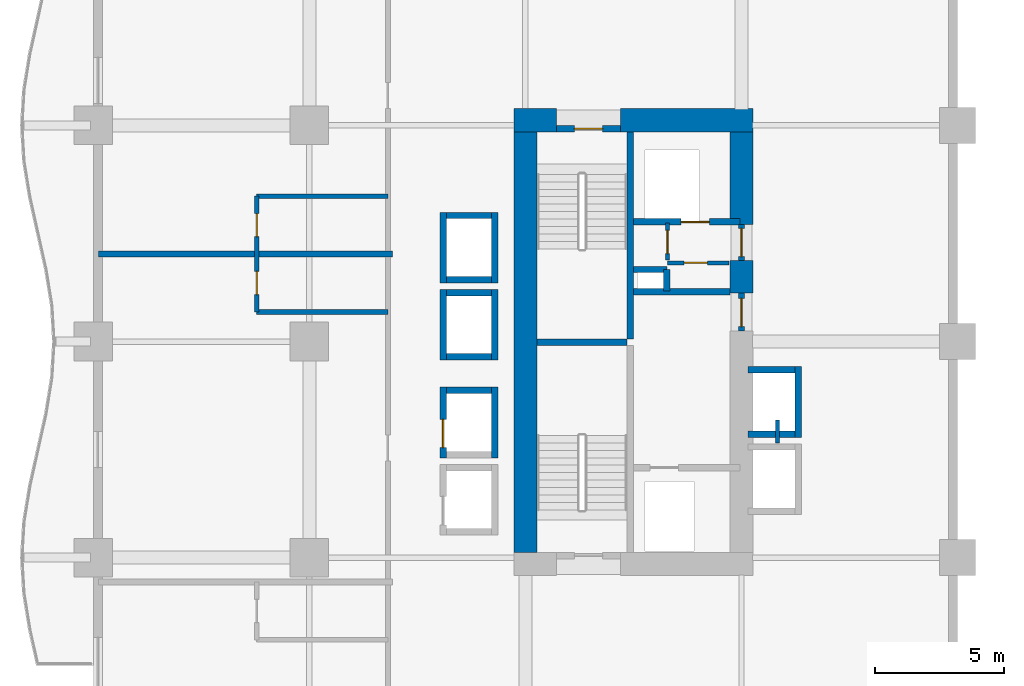
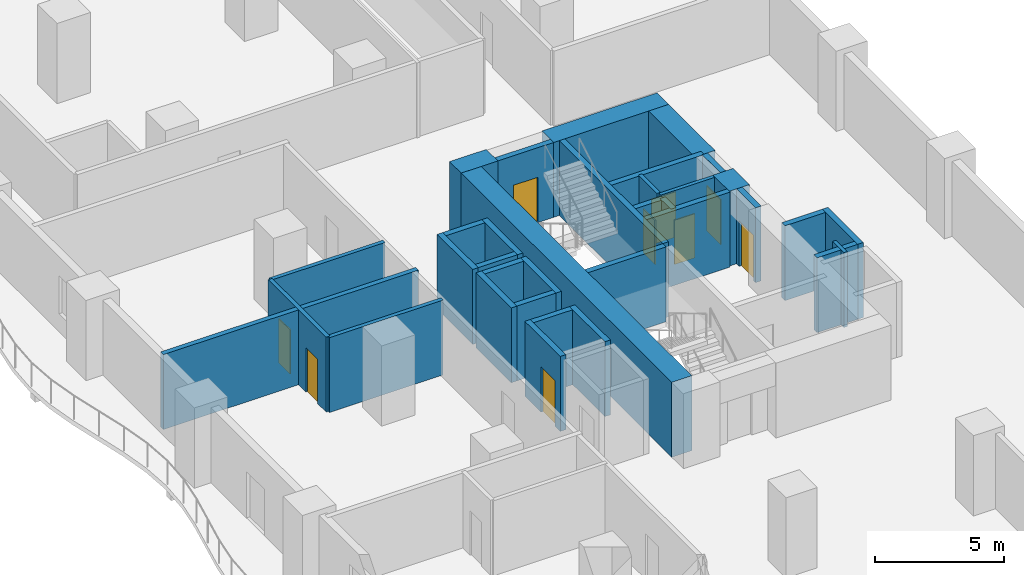
# One storey, part 16 of 27: 35 walls, 9 doors, 9 openings.
"""IFC4 building model written with IfcOpenShell, lengths in metres."""

from ifc_helpers import new_model, si_unit, direction, frame, frame_2d, origin, place, context, subcontext, project, spatial, rectangle, extrude, material, layer, layer_set, type_object, element, fill, save


model = new_model("IFC4")

# Units and contexts
model_context = context("Model", 3, precision=1e-05, world=origin(), true_north=direction((0.0, 1.0)))
body_context = subcontext(model_context, "Body", "Model", "MODEL_VIEW")
ifc_project = project(units=[si_unit("LENGTHUNIT", "METRE"), si_unit("AREAUNIT", "SQUARE_METRE"), si_unit("VOLUMEUNIT", "CUBIC_METRE"), si_unit("PLANEANGLEUNIT", "RADIAN"), si_unit("MASSUNIT", "GRAM", prefix="KILO")], contexts=[model_context])

# Site, building, storey
site_placement = place(None, origin())
site = spatial("IfcSite", under=ifc_project, at=site_placement, CompositionType="ELEMENT")
building_placement = place(site_placement, origin())
building = spatial("IfcBuilding", under=site, at=building_placement, Name="Koriwani Terraces Tower", CompositionType="ELEMENT")
storey_placement = place(building_placement, frame((0.0, 0.0, 70.0)))
storey = spatial("IfcBuildingStorey", under=building, at=storey_placement, Name="L16", CompositionType="ELEMENT", Elevation=70.0)

# Walls
ifc_material_1 = material(Name="Concrete C60/75", Category="concrete")
ifc_layer_1 = layer(ifc_material_1, 0.89990234375, Name="Concrete C60/75")
ifc_layer_set_1 = layer_set([ifc_layer_1], Name="Concrete C60/75")
wall_type_1 = type_object("IfcWallType", Name="WALL_CORE_RC_900", PredefinedType="SHEAR", material=ifc_layer_set_1)
wall_1_placement = place(storey_placement, frame((16.35009765625, 59.0, 0.0), z_axis=(0.0, 0.0, 1.0), x_axis=(1.0, 0.0, 0.0)))
element("IfcWall", 1, at=wall_1_placement, inside=storey, type_object=wall_type_1, Name="L16 West Split Core Shear Wall N1", PredefinedType="SHEAR", context=body_context, shape_type="SweptSolid", body=[
    extrude(rectangle(XDim=1.64990234375, YDim=0.89990234375, at=frame_2d((0.824951171875, 0.0))), origin(), (0.0, 0.0, 1.0), 3.550048828125),
])
wall_2_placement = place(storey_placement, frame((20.5, 59.0, 0.0), z_axis=(0.0, 0.0, 1.0), x_axis=(1.0, 0.0, 0.0)))
element("IfcWall", 2, at=wall_2_placement, inside=storey, type_object=wall_type_1, Name="L16 West Split Core Shear Wall N2", PredefinedType="SHEAR", context=body_context, shape_type="SweptSolid", body=[
    extrude(rectangle(XDim=5.14990234375, YDim=0.89990234375, at=frame_2d((2.574951171875, 0.0))), origin(), (0.0, 0.0, 1.0), 3.550048828125),
])
wall_3_placement = place(storey_placement, frame((16.800048828125, 42.199951171875, 0.0), z_axis=(0.0, 0.0, 1.0), x_axis=(0.0, 1.0, 0.0)))
element("IfcWall", 3, at=wall_3_placement, inside=storey, type_object=wall_type_1, Name="L16 West Split Core Shear Wall W1", PredefinedType="SHEAR", context=body_context, shape_type="SweptSolid", body=[
    extrude(rectangle(XDim=16.35009765625, YDim=0.89990234375, at=frame_2d((8.175048828125, 0.0))), origin(), (0.0, 0.0, 1.0), 3.550048828125),
])
wall_4_placement = place(storey_placement, frame((25.199951171875, 52.280029296875, 0.0), z_axis=(0.0, 0.0, 1.0), x_axis=(0.0, 1.0, 0.0)))
element("IfcWall", 4, at=wall_4_placement, inside=storey, type_object=wall_type_1, Name="L16 West Split Core Shear Wall E2", PredefinedType="SHEAR", context=body_context, shape_type="SweptSolid", body=[
    extrude(rectangle(XDim=1.27001953125, YDim=0.89990234375, at=frame_2d((0.635009765625, 0.0))), origin(), (0.0, 0.0, 1.0), 3.550048828125),
])
wall_5_placement = place(storey_placement, frame((25.199951171875, 54.949951171875, 0.0), z_axis=(0.0, 0.0, 1.0), x_axis=(0.0, 1.0, 0.0)))
element("IfcWall", 5, at=wall_5_placement, inside=storey, type_object=wall_type_1, Name="L16 West Split Core Shear Wall E3", PredefinedType="SHEAR", context=body_context, shape_type="SweptSolid", body=[
    extrude(rectangle(XDim=3.60009765625, YDim=0.89990234375, at=frame_2d((1.800048828125, 0.0))), origin(), (0.0, 0.0, 1.0), 3.550048828125),
])
ifc_material_2 = material(Name="Autoclaved Cellular Concrete Blockwork", Category="masonry")
ifc_layer_2 = layer(ifc_material_2, 0.219970703125, Name="Autoclaved Cellular Concrete Blockwork")
ifc_layer_set_2 = layer_set([ifc_layer_2], Name="Autoclaved Cellular Concrete Blockwork")
wall_type_2 = type_object("IfcWallType", Name="WALL_DEMISING_220", PredefinedType="PARTITIONING", material=ifc_layer_set_2)
wall_6_placement = place(storey_placement, frame((0.199951171875, 53.800048828125, 0.0), z_axis=(0.0, 0.0, 1.0), x_axis=(1.0, 0.0, 0.0)))
element("IfcWall", 6, at=wall_6_placement, inside=storey, type_object=wall_type_2, Name="L16 Interior Wall WDEM-L16-NW-5", PredefinedType="PARTITIONING", context=body_context, shape_type="SweptSolid", body=[
    extrude(rectangle(XDim=11.429931640625, YDim=0.219970703125, at=frame_2d((5.71484375, 0.0))), origin(), (0.0, 0.0, 1.0), 3.550048828125),
])

# Wall, openings, doors
ifc_material_3 = material(Name="Fire-Rated Acoustic Gypsum Partition", Category="masonry")
ifc_layer_3 = layer(ifc_material_3, 0.179931640625, Name="Fire-Rated Acoustic Gypsum Partition")
ifc_layer_set_3 = layer_set([ifc_layer_3], Name="Fire-Rated Acoustic Gypsum Partition")
wall_type_3 = type_object("IfcWallType", Name="WALL_PLUMBING_180", PredefinedType="PLUMBINGWALL", material=ifc_layer_set_3)
wall_7_placement = place(storey_placement, frame((6.35009765625, 51.550048828125, 0.0), z_axis=(0.0, 0.0, 1.0), x_axis=(0.0, 1.0, 0.0)))
wall_7 = element("IfcWall", 7, at=wall_7_placement, inside=storey, type_object=wall_type_3, Name="L16 Interior Wall WBTH1-L16-NW-4", PredefinedType="PLUMBINGWALL", context=body_context, shape_type="SweptSolid", body=[
    extrude(rectangle(XDim=4.5, YDim=0.179931640625, at=frame_2d((2.25, 0.0))), origin(), (0.0, 0.0, 1.0), 3.550048828125),
])
opening_1_placement = place(wall_7_placement, frame((0.675048828125, 0.0, 0.0)))
opening_1 = element("IfcOpeningElement", 8, at=opening_1_placement, cuts=wall_7, Name="Opening D-07", PredefinedType="OPENING", context=body_context, shape_type="SweptSolid", body=[
    extrude(rectangle(XDim=0.89990234375, YDim=2.10009765625, at=frame_2d((0.449951171875, 1.050048828125))), frame((0.0, 0.10009765625, 0.0), z_axis=(0.0, -1.0, 0.0), x_axis=(1.0, 0.0, 0.0)), (0.0, 0.0, 1.0), 0.199951171875),
])
opening_2_placement = place(wall_7_placement, frame((2.925048828125, 0.0, 0.0)))
opening_2 = element("IfcOpeningElement", 9, at=opening_2_placement, cuts=wall_7, Name="Opening D-07", PredefinedType="OPENING", context=body_context, shape_type="SweptSolid", body=[
    extrude(rectangle(XDim=0.89990234375, YDim=2.10009765625, at=frame_2d((0.449951171875, 1.050048828125))), frame((0.0, 0.10009765625, 0.0), z_axis=(0.0, -1.0, 0.0), x_axis=(1.0, 0.0, 0.0)), (0.0, 0.0, 1.0), 0.199951171875),
])
ifc_material_4 = material(Name="Architectural Oak Fire Door", Category="wood")
door_type_1 = type_object("IfcDoorType", Name="DOOR_BATH_INT_900X2100", OperationType="NOTDEFINED", PredefinedType="DOOR", material=ifc_material_4)
door_1_placement = place(opening_1_placement, origin())
door_1 = element("IfcDoor", 10, at=door_1_placement, inside=storey, type_object=door_type_1, Name="En-Suite Bathroom 16NW5 Door", OperationType="SINGLE_SWING_LEFT", OverallHeight=2.10009765625, OverallWidth=0.89990234375, PredefinedType="DOOR", context=body_context, shape_type="SweptSolid", body=[
    extrude(rectangle(XDim=0.89990234375, YDim=2.10009765625, at=frame_2d((0.449951171875, 1.050048828125))), frame((0.0, 0.02490234375, 0.0), z_axis=(0.0, -1.0, 0.0), x_axis=(1.0, 0.0, 0.0)), (0.0, 0.0, 1.0), 0.050048828125),
])
fill(opening_1, door_1)
door_2_placement = place(opening_2_placement, origin())
door_2 = element("IfcDoor", 11, at=door_2_placement, inside=storey, type_object=door_type_1, Name="En-Suite Bathroom 16NW6 Door", OperationType="SINGLE_SWING_LEFT", OverallHeight=2.10009765625, OverallWidth=0.89990234375, PredefinedType="DOOR", context=body_context, shape_type="SweptSolid", body=[
    extrude(rectangle(XDim=0.89990234375, YDim=2.10009765625, at=frame_2d((0.449951171875, 1.050048828125))), frame((0.0, 0.02490234375, 0.0), z_axis=(0.0, -1.0, 0.0), x_axis=(1.0, 0.0, 0.0)), (0.0, 0.0, 1.0), 0.050048828125),
])
fill(opening_2, door_2)

# Walls
for number, where, z_axis, x_axis, name in (
    (12, (6.35009765625, 51.550048828125, 0.0), (0.0, 0.0, 1.0), (1.0, 0.0, 0.0), "L16 Interior Wall WBTH2-L16-NW-4"),
    (13, (6.35009765625, 56.050048828125, 0.0), (0.0, 0.0, 1.0), (1.0, 0.0, 0.0), "L16 Interior Wall WBTH2-L16-NW-5"),
):
    element("IfcWall", number, at=place(storey_placement, frame(where, z_axis=z_axis, x_axis=x_axis)), inside=storey, type_object=wall_type_3, Name=name, PredefinedType="PLUMBINGWALL", context=body_context, shape_type="SweptSolid", body=[
        extrude(rectangle(XDim=5.099853515625, YDim=0.179931640625, at=frame_2d((2.5498046875, 0.0))), origin(), (0.0, 0.0, 1.0), 3.550048828125),
    ])
ifc_material_5 = material(Name="Concrete C40/50", Category="concrete")
ifc_layer_4 = layer(ifc_material_5, 0.25, Name="Concrete C40/50")
ifc_layer_set_4 = layer_set([ifc_layer_4], Name="Concrete C40/50")
wall_type_4 = type_object("IfcWallType", Name="WALL_SHAFT_RATED_250", PredefinedType="SOLIDWALL", material=ifc_layer_set_4)
wall_8_placement = place(storey_placement, frame((20.875, 50.5, 0.0), z_axis=(0.0, 0.0, 1.0), x_axis=(0.0, 1.0, 0.0)))
element("IfcWall", 14, at=wall_8_placement, inside=storey, type_object=wall_type_4, Name="L16 West Split Core Web Wall MID2", PredefinedType="SOLIDWALL", context=body_context, shape_type="SweptSolid", body=[
    extrude(rectangle(XDim=8.050048828125, YDim=0.25, at=frame_2d((4.02490234375, 0.0))), origin(), (0.0, 0.0, 1.0), 3.550048828125),
])
wall_9_placement = place(storey_placement, frame((17.25, 50.375, 0.0), z_axis=(0.0, 0.0, 1.0), x_axis=(1.0, 0.0, 0.0)))
element("IfcWall", 15, at=wall_9_placement, inside=storey, type_object=wall_type_4, Name="L16 West Split Core Stair Dividing Wall", PredefinedType="SOLIDWALL", context=body_context, shape_type="SweptSolid", body=[
    extrude(rectangle(XDim=3.5, YDim=0.25, at=frame_2d((1.75, 0.0))), origin(), (0.0, 0.0, 1.0), 3.550048828125),
])

# Wall, opening, door
wall_10_placement = place(storey_placement, frame((18.0, 58.675048828125, 0.0), z_axis=(0.0, 0.0, 1.0), x_axis=(1.0, 0.0, 0.0)))
wall_10 = element("IfcWall", 16, at=wall_10_placement, inside=storey, type_object=wall_type_4, Name="L16 Interior Wall WIN-CW-L16-STN", PredefinedType="SOLIDWALL", context=body_context, shape_type="SweptSolid", body=[
    extrude(rectangle(XDim=2.5, YDim=0.25, at=frame_2d((1.25, 0.0))), origin(), (0.0, 0.0, 1.0), 3.550048828125),
])
opening_3_placement = place(wall_10_placement, frame((0.699951171875, 0.0, 0.0)))
opening_3 = element("IfcOpeningElement", 17, at=opening_3_placement, cuts=wall_10, Name="Opening D-03", PredefinedType="OPENING", context=body_context, shape_type="SweptSolid", body=[
    extrude(rectangle(XDim=1.10009765625, YDim=2.14990234375, at=frame_2d((0.550048828125, 1.074951171875))), frame((0.0, 0.135009765625, 0.0), z_axis=(0.0, -1.0, 0.0), x_axis=(1.0, 0.0, 0.0)), (0.0, 0.0, 1.0), 0.27001953125),
])
ifc_material_6 = material(Name="Steel ASTM A572 Grade 50", Category="steel")
door_type_2 = type_object("IfcDoorType", Name="DOOR_STAIR_FIRE_1100X2150", OperationType="NOTDEFINED", PredefinedType="DOOR", material=ifc_material_6)
door_3_placement = place(opening_3_placement, origin())
door_3 = element("IfcDoor", 18, at=door_3_placement, inside=storey, type_object=door_type_2, Name="L16 Exit Stair ST-W2 Door", OperationType="SINGLE_SWING_LEFT", OverallHeight=2.14990234375, OverallWidth=1.10009765625, PredefinedType="DOOR", context=body_context, shape_type="SweptSolid", body=[
    extrude(rectangle(XDim=1.10009765625, YDim=2.14990234375, at=frame_2d((0.550048828125, 1.074951171875))), frame((0.0, 0.02490234375, 0.0), z_axis=(0.0, -1.0, 0.0), x_axis=(1.0, 0.0, 0.0)), (0.0, 0.0, 1.0), 0.050048828125),
])
fill(opening_3, door_3)

wall_11_placement = place(storey_placement, frame((25.199951171875, 50.800048828125, 0.0), z_axis=(0.0, 0.0, 1.0), x_axis=(0.0, 1.0, 0.0)))
wall_11 = element("IfcWall", 19, at=wall_11_placement, inside=storey, type_object=wall_type_4, Name="L16 Interior Wall WIN-CW-L16-EP", PredefinedType="SOLIDWALL", context=body_context, shape_type="SweptSolid", body=[
    extrude(rectangle(XDim=1.47998046875, YDim=0.25, at=frame_2d((0.739990234375, 0.0))), origin(), (0.0, 0.0, 1.0), 3.550048828125),
])
opening_4_placement = place(wall_11_placement, frame((0.179931640625, 0.0, 0.0)))
opening_4 = element("IfcOpeningElement", 20, at=opening_4_placement, cuts=wall_11, Name="Opening D-03", PredefinedType="OPENING", context=body_context, shape_type="SweptSolid", body=[
    extrude(rectangle(XDim=1.10009765625, YDim=2.14990234375, at=frame_2d((0.550048828125, 1.074951171875))), frame((0.0, 0.135009765625, 0.0), z_axis=(0.0, -1.0, 0.0), x_axis=(1.0, 0.0, 0.0)), (0.0, 0.0, 1.0), 0.27001953125),
])
door_4_placement = place(opening_4_placement, origin())
door_4 = element("IfcDoor", 21, at=door_4_placement, inside=storey, type_object=door_type_2, Name="L16 West Firefighting Lobby Door", OperationType="SINGLE_SWING_RIGHT", OverallHeight=2.14990234375, OverallWidth=1.10009765625, PredefinedType="DOOR", context=body_context, shape_type="SweptSolid", body=[
    extrude(rectangle(XDim=1.10009765625, YDim=2.14990234375, at=frame_2d((0.550048828125, 1.074951171875))), frame((0.0, 0.02490234375, 0.0), z_axis=(0.0, -1.0, 0.0), x_axis=(1.0, 0.0, 0.0)), (0.0, 0.0, 1.0), 0.050048828125),
])
fill(opening_4, door_4)

# Wall
wall_12_placement = place(storey_placement, frame((21.0, 52.340087890625, 0.0), z_axis=(0.0, 0.0, 1.0), x_axis=(1.0, 0.0, 0.0)))
element("IfcWall", 22, at=wall_12_placement, inside=storey, type_object=wall_type_4, Name="L16 Interior Wall WIN-CW-L16-FFN", PredefinedType="SOLIDWALL", context=body_context, shape_type="SweptSolid", body=[
    extrude(rectangle(XDim=3.75, YDim=0.25, at=frame_2d((1.875, 0.0))), origin(), (0.0, 0.0, 1.0), 3.550048828125),
])

# Wall, opening, door
wall_13_placement = place(storey_placement, frame((21.0, 55.050048828125, 0.0), z_axis=(0.0, 0.0, 1.0), x_axis=(1.0, 0.0, 0.0)))
wall_13 = element("IfcWall", 23, at=wall_13_placement, inside=storey, type_object=wall_type_4, Name="L16 Interior Wall WIN-CW-L16-SE", PredefinedType="SOLIDWALL", context=body_context, shape_type="SweptSolid", body=[
    extrude(rectangle(XDim=4.14990234375, YDim=0.25, at=frame_2d((2.074951171875, 0.0))), origin(), (0.0, 0.0, 1.0), 3.550048828125),
])
opening_5_placement = place(wall_13_placement, frame((1.85009765625, 0.0, 0.0)))
opening_5 = element("IfcOpeningElement", 24, at=opening_5_placement, cuts=wall_13, Name="Opening LD-01", PredefinedType="OPENING", context=body_context, shape_type="SweptSolid", body=[
    extrude(rectangle(XDim=1.10009765625, YDim=2.14990234375, at=frame_2d((0.550048828125, 1.074951171875))), frame((0.0, 0.135009765625, 0.0), z_axis=(0.0, -1.0, 0.0), x_axis=(1.0, 0.0, 0.0)), (0.0, 0.0, 1.0), 0.27001953125),
])
door_type_3 = type_object("IfcDoorType", Name="DOOR_LIFT_LANDING_1100X2200", OperationType="NOTDEFINED", PredefinedType="DOOR", material=ifc_material_6)
door_5_placement = place(opening_5_placement, origin())
door_5 = element("IfcDoor", 25, at=door_5_placement, inside=storey, type_object=door_type_3, Name="L16 Goods Lift SE-01 Landing Door", OperationType="SLIDING_TO_LEFT", OverallHeight=2.14990234375, OverallWidth=1.10009765625, PredefinedType="DOOR", context=body_context, shape_type="SweptSolid", body=[
    extrude(rectangle(XDim=1.10009765625, YDim=2.14990234375, at=frame_2d((0.550048828125, 1.074951171875))), frame((0.0, 0.02490234375, 0.0), z_axis=(0.0, -1.0, 0.0), x_axis=(1.0, 0.0, 0.0)), (0.0, 0.0, 1.0), 0.050048828125),
])
fill(opening_5, door_5)

wall_14_placement = place(storey_placement, frame((25.199951171875, 53.550048828125, 0.0), z_axis=(0.0, 0.0, 1.0), x_axis=(0.0, 1.0, 0.0)))
wall_14 = element("IfcWall", 26, at=wall_14_placement, inside=storey, type_object=wall_type_4, Name="L16 Interior Wall WIN-CW-L16-EP2", PredefinedType="SOLIDWALL", context=body_context, shape_type="SweptSolid", body=[
    extrude(rectangle(XDim=1.39990234375, YDim=0.25, at=frame_2d((0.699951171875, 0.0))), origin(), (0.0, 0.0, 1.0), 3.550048828125),
])
opening_6_placement = place(wall_14_placement, frame((0.14990234375, 0.0, 0.0)))
opening_6 = element("IfcOpeningElement", 27, at=opening_6_placement, cuts=wall_14, Name="Opening D-03", PredefinedType="OPENING", context=body_context, shape_type="SweptSolid", body=[
    extrude(rectangle(XDim=1.10009765625, YDim=2.14990234375, at=frame_2d((0.550048828125, 1.074951171875))), frame((0.0, 0.135009765625, 0.0), z_axis=(0.0, -1.0, 0.0), x_axis=(1.0, 0.0, 0.0)), (0.0, 0.0, 1.0), 0.27001953125),
])
door_6_placement = place(opening_6_placement, origin())
door_6 = element("IfcDoor", 28, at=door_6_placement, inside=storey, type_object=door_type_2, Name="L16 West Goods Lift Lobby Door", OperationType="SINGLE_SWING_LEFT", OverallHeight=2.14990234375, OverallWidth=1.10009765625, PredefinedType="DOOR", context=body_context, shape_type="SweptSolid", body=[
    extrude(rectangle(XDim=1.10009765625, YDim=2.14990234375, at=frame_2d((0.550048828125, 1.074951171875))), frame((0.0, 0.02490234375, 0.0), z_axis=(0.0, -1.0, 0.0), x_axis=(1.0, 0.0, 0.0)), (0.0, 0.0, 1.0), 0.050048828125),
])
fill(opening_6, door_6)

# Walls
wall_15_placement = place(storey_placement, frame((21.0, 53.199951171875, 0.0), z_axis=(0.0, 0.0, 1.0), x_axis=(1.0, 0.0, 0.0)))
element("IfcWall", 29, at=wall_15_placement, inside=storey, type_object=wall_type_4, Name="L16 Interior Wall WIN-CW-L16-RS1", PredefinedType="SOLIDWALL", context=body_context, shape_type="SweptSolid", body=[
    extrude(rectangle(XDim=1.300048828125, YDim=0.25, at=frame_2d((0.64990234375, 0.0))), origin(), (0.0, 0.0, 1.0), 3.550048828125),
])
wall_16_placement = place(storey_placement, frame((22.300048828125, 52.360107421875, 0.0), z_axis=(0.0, 0.0, 1.0), x_axis=(0.0, 1.0, 0.0)))
element("IfcWall", 30, at=wall_16_placement, inside=storey, type_object=wall_type_4, Name="L16 Interior Wall WIN-CW-L16-RS2", PredefinedType="SOLIDWALL", context=body_context, shape_type="SweptSolid", body=[
    extrude(rectangle(XDim=0.83984375, YDim=0.25, at=frame_2d((0.419921875, 0.0))), origin(), (0.0, 0.0, 1.0), 3.550048828125),
])

# Wall, opening, door
wall_17_placement = place(storey_placement, frame((13.60009765625, 45.875, 0.0), z_axis=(0.0, 0.0, 1.0), x_axis=(0.0, 1.0, 0.0)))
wall_17 = element("IfcWall", 31, at=wall_17_placement, inside=storey, type_object=wall_type_4, Name="L16 Interior Wall WIN-LF-PE-L2-L16-F", PredefinedType="SOLIDWALL", context=body_context, shape_type="SweptSolid", body=[
    extrude(rectangle(XDim=2.75, YDim=0.25, at=frame_2d((1.375, 0.0))), origin(), (0.0, 0.0, 1.0), 3.550048828125),
])
opening_7_placement = place(wall_17_placement, frame((0.39990234375, 0.0, 0.0)))
opening_7 = element("IfcOpeningElement", 32, at=opening_7_placement, cuts=wall_17, Name="Opening LD-01", PredefinedType="OPENING", context=body_context, shape_type="SweptSolid", body=[
    extrude(rectangle(XDim=1.10009765625, YDim=2.14990234375, at=frame_2d((0.550048828125, 1.074951171875))), frame((0.0, 0.135009765625, 0.0), z_axis=(0.0, -1.0, 0.0), x_axis=(1.0, 0.0, 0.0)), (0.0, 0.0, 1.0), 0.27001953125),
])
door_7_placement = place(opening_7_placement, origin())
door_7 = element("IfcDoor", 33, at=door_7_placement, inside=storey, type_object=door_type_3, Name="L16 Passenger Lift PE-L2 Landing Door", OperationType="SLIDING_TO_LEFT", OverallHeight=2.14990234375, OverallWidth=1.10009765625, PredefinedType="DOOR", context=body_context, shape_type="SweptSolid", body=[
    extrude(rectangle(XDim=1.10009765625, YDim=2.14990234375, at=frame_2d((0.550048828125, 1.074951171875))), frame((0.0, 0.02490234375, 0.0), z_axis=(0.0, -1.0, 0.0), x_axis=(1.0, 0.0, 0.0)), (0.0, 0.0, 1.0), 0.050048828125),
])
fill(opening_7, door_7)

# Walls
wall_18_placement = place(storey_placement, frame((15.60009765625, 45.875, 0.0), z_axis=(0.0, 0.0, 1.0), x_axis=(0.0, 1.0, 0.0)))
element("IfcWall", 34, at=wall_18_placement, inside=storey, type_object=wall_type_4, Name="L16 Interior Wall WIN-LF-PE-L2-L16-B", PredefinedType="SOLIDWALL", context=body_context, shape_type="SweptSolid", body=[
    extrude(rectangle(XDim=2.75, YDim=0.25, at=frame_2d((1.375, 0.0))), origin(), (0.0, 0.0, 1.0), 3.550048828125),
])
wall_19_placement = place(storey_placement, frame((13.72509765625, 48.5, 0.0), z_axis=(0.0, 0.0, 1.0), x_axis=(1.0, 0.0, 0.0)))
element("IfcWall", 35, at=wall_19_placement, inside=storey, type_object=wall_type_4, Name="L16 Interior Wall WIN-LF-PE-L2-L16-N", PredefinedType="SOLIDWALL", context=body_context, shape_type="SweptSolid", body=[
    extrude(rectangle(XDim=1.75, YDim=0.25, at=frame_2d((0.875, 0.0))), origin(), (0.0, 0.0, 1.0), 3.550048828125),
])
for number, where, z_axis, x_axis, name in (
    (36, (13.60009765625, 49.675048828125, 0.0), (0.0, 0.0, 1.0), (0.0, 1.0, 0.0), "L16 Interior Wall WIN-LF-PE-M1-L16-F"),
    (37, (15.60009765625, 49.675048828125, 0.0), (0.0, 0.0, 1.0), (0.0, 1.0, 0.0), "L16 Interior Wall WIN-LF-PE-M1-L16-B"),
):
    element("IfcWall", number, at=place(storey_placement, frame(where, z_axis=z_axis, x_axis=x_axis)), inside=storey, type_object=wall_type_4, Name=name, PredefinedType="SOLIDWALL", context=body_context, shape_type="SweptSolid", body=[
        extrude(rectangle(XDim=2.75, YDim=0.25, at=frame_2d((1.375, 0.0))), origin(), (0.0, 0.0, 1.0), 3.550048828125),
    ])
for number, where, z_axis, x_axis, name in (
    (38, (13.72509765625, 49.800048828125, 0.0), (0.0, 0.0, 1.0), (1.0, 0.0, 0.0), "L16 Interior Wall WIN-LF-PE-M1-L16-S"),
    (39, (13.72509765625, 52.300048828125, 0.0), (0.0, 0.0, 1.0), (1.0, 0.0, 0.0), "L16 Interior Wall WIN-LF-PE-M1-L16-N"),
):
    element("IfcWall", number, at=place(storey_placement, frame(where, z_axis=z_axis, x_axis=x_axis)), inside=storey, type_object=wall_type_4, Name=name, PredefinedType="SOLIDWALL", context=body_context, shape_type="SweptSolid", body=[
        extrude(rectangle(XDim=1.75, YDim=0.25, at=frame_2d((0.875, 0.0))), origin(), (0.0, 0.0, 1.0), 3.550048828125),
    ])
for number, where, z_axis, x_axis, name in (
    (40, (13.60009765625, 52.675048828125, 0.0), (0.0, 0.0, 1.0), (0.0, 1.0, 0.0), "L16 Interior Wall WIN-LF-PE-M2-L16-F"),
    (41, (15.60009765625, 52.675048828125, 0.0), (0.0, 0.0, 1.0), (0.0, 1.0, 0.0), "L16 Interior Wall WIN-LF-PE-M2-L16-B"),
):
    element("IfcWall", number, at=place(storey_placement, frame(where, z_axis=z_axis, x_axis=x_axis)), inside=storey, type_object=wall_type_4, Name=name, PredefinedType="SOLIDWALL", context=body_context, shape_type="SweptSolid", body=[
        extrude(rectangle(XDim=2.75, YDim=0.25, at=frame_2d((1.375, 0.0))), origin(), (0.0, 0.0, 1.0), 3.550048828125),
    ])
for number, where, z_axis, x_axis, name in (
    (42, (13.72509765625, 52.800048828125, 0.0), (0.0, 0.0, 1.0), (1.0, 0.0, 0.0), "L16 Interior Wall WIN-LF-PE-M2-L16-S"),
    (43, (13.72509765625, 55.300048828125, 0.0), (0.0, 0.0, 1.0), (1.0, 0.0, 0.0), "L16 Interior Wall WIN-LF-PE-M2-L16-N"),
):
    element("IfcWall", number, at=place(storey_placement, frame(where, z_axis=z_axis, x_axis=x_axis)), inside=storey, type_object=wall_type_4, Name=name, PredefinedType="SOLIDWALL", context=body_context, shape_type="SweptSolid", body=[
        extrude(rectangle(XDim=1.75, YDim=0.25, at=frame_2d((0.875, 0.0))), origin(), (0.0, 0.0, 1.0), 3.550048828125),
    ])
wall_20_placement = place(storey_placement, frame((27.39990234375, 46.675048828125, 0.0), z_axis=(0.0, 0.0, 1.0), x_axis=(0.0, 1.0, 0.0)))
element("IfcWall", 44, at=wall_20_placement, inside=storey, type_object=wall_type_4, Name="L16 Interior Wall WIN-LF-PE-H2-L16-F", PredefinedType="SOLIDWALL", context=body_context, shape_type="SweptSolid", body=[
    extrude(rectangle(XDim=2.75, YDim=0.25, at=frame_2d((1.375, 0.0))), origin(), (0.0, 0.0, 1.0), 3.550048828125),
])
for number, where, z_axis, x_axis, name in (
    (45, (25.449951171875, 46.800048828125, 0.0), (0.0, 0.0, 1.0), (1.0, 0.0, 0.0), "L16 Interior Wall WIN-LF-PE-H2-L16-S"),
    (46, (25.449951171875, 49.300048828125, 0.0), (0.0, 0.0, 1.0), (1.0, 0.0, 0.0), "L16 Interior Wall WIN-LF-PE-H2-L16-N"),
):
    element("IfcWall", number, at=place(storey_placement, frame(where, z_axis=z_axis, x_axis=x_axis)), inside=storey, type_object=wall_type_4, Name=name, PredefinedType="SOLIDWALL", context=body_context, shape_type="SweptSolid", body=[
        extrude(rectangle(XDim=1.824951171875, YDim=0.25, at=frame_2d((0.91259765625, 0.0))), origin(), (0.0, 0.0, 1.0), 3.550048828125),
    ])

# Wall, opening, door
ifc_layer_5 = layer(ifc_material_3, 0.159912109375, Name="Fire-Rated Acoustic Gypsum Partition")
ifc_layer_set_5 = layer_set([ifc_layer_5], Name="Fire-Rated Acoustic Gypsum Partition")
wall_type_5 = type_object("IfcWallType", Name="WALL_SUITE_160", PredefinedType="PARTITIONING", material=ifc_layer_set_5)
wall_21_placement = place(storey_placement, frame((22.320068359375, 53.56005859375, 0.0), z_axis=(0.0, 0.0, 1.0), x_axis=(0.0, 1.0, 0.0)))
wall_21 = element("IfcWall", 47, at=wall_21_placement, inside=storey, type_object=wall_type_5, Name="L16 Interior Wall WIN-CW-L16-SV1A", PredefinedType="PARTITIONING", context=body_context, shape_type="SweptSolid", body=[
    extrude(rectangle(XDim=1.43994140625, YDim=0.159912109375, at=frame_2d((0.719970703125, 0.0))), origin(), (0.0, 0.0, 1.0), 3.550048828125),
])
opening_8_placement = place(wall_21_placement, frame((0.260009765625, 0.0, 0.0)))
opening_8 = element("IfcOpeningElement", 48, at=opening_8_placement, cuts=wall_21, Name="Opening D-07", PredefinedType="OPENING", context=body_context, shape_type="SweptSolid", body=[
    extrude(rectangle(XDim=0.89990234375, YDim=2.10009765625, at=frame_2d((0.449951171875, 1.050048828125))), frame((0.0, 0.08984375, 0.0), z_axis=(0.0, -1.0, 0.0), x_axis=(1.0, 0.0, 0.0)), (0.0, 0.0, 1.0), 0.179931640625),
])
door_8_placement = place(opening_8_placement, origin())
door_8 = element("IfcDoor", 49, at=door_8_placement, inside=storey, type_object=door_type_1, Name="L16 West Telecom Room Door", OperationType="SINGLE_SWING_RIGHT", OverallHeight=2.10009765625, OverallWidth=0.89990234375, PredefinedType="DOOR", context=body_context, shape_type="SweptSolid", body=[
    extrude(rectangle(XDim=0.89990234375, YDim=2.10009765625, at=frame_2d((0.449951171875, 1.050048828125))), frame((0.0, 0.02490234375, 0.0), z_axis=(0.0, -1.0, 0.0), x_axis=(1.0, 0.0, 0.0)), (0.0, 0.0, 1.0), 0.050048828125),
])
fill(opening_8, door_8)

wall_22_placement = place(storey_placement, frame((22.320068359375, 53.4599609375, 0.0), z_axis=(0.0, 0.0, 1.0), x_axis=(1.0, 0.0, 0.0)))
wall_22 = element("IfcWall", 50, at=wall_22_placement, inside=storey, type_object=wall_type_5, Name="L16 Interior Wall WIN-CW-L16-SV1B", PredefinedType="PARTITIONING", context=body_context, shape_type="SweptSolid", body=[
    extrude(rectangle(XDim=2.39990234375, YDim=0.159912109375, at=frame_2d((1.199951171875, 0.0))), origin(), (0.0, 0.0, 1.0), 3.550048828125),
])
opening_9_placement = place(wall_22_placement, frame((0.64990234375, 0.0, 0.0)))
opening_9 = element("IfcOpeningElement", 51, at=opening_9_placement, cuts=wall_22, Name="Opening D-07", PredefinedType="OPENING", context=body_context, shape_type="SweptSolid", body=[
    extrude(rectangle(XDim=0.89990234375, YDim=2.10009765625, at=frame_2d((0.449951171875, 1.050048828125))), frame((0.0, 0.08984375, 0.0), z_axis=(0.0, -1.0, 0.0), x_axis=(1.0, 0.0, 0.0)), (0.0, 0.0, 1.0), 0.179931640625),
])
door_9_placement = place(opening_9_placement, origin())
door_9 = element("IfcDoor", 52, at=door_9_placement, inside=storey, type_object=door_type_1, Name="L16 West Cleaners Closet Door", OperationType="SINGLE_SWING_LEFT", OverallHeight=2.10009765625, OverallWidth=0.89990234375, PredefinedType="DOOR", context=body_context, shape_type="SweptSolid", body=[
    extrude(rectangle(XDim=0.89990234375, YDim=2.10009765625, at=frame_2d((0.449951171875, 1.050048828125))), frame((0.0, 0.02490234375, 0.0), z_axis=(0.0, -1.0, 0.0), x_axis=(1.0, 0.0, 0.0)), (0.0, 0.0, 1.0), 0.050048828125),
])
fill(opening_9, door_9)

# Wall
wall_23_placement = place(storey_placement, frame((26.60009765625, 46.4599609375, 0.0), z_axis=(0.0, 0.0, 1.0), x_axis=(0.0, 1.0, 0.0)))
element("IfcWall", 53, at=wall_23_placement, inside=storey, type_object=wall_type_5, Name="L16 Interior Wall WIN-LF-PEH12-MID-L16", PredefinedType="PARTITIONING", context=body_context, shape_type="SweptSolid", body=[
    extrude(rectangle(XDim=0.880126953125, YDim=0.159912109375, at=frame_2d((0.43994140625, 0.0))), origin(), (0.0, 0.0, 1.0), 3.550048828125),
])

save(model, "model.ifc")
